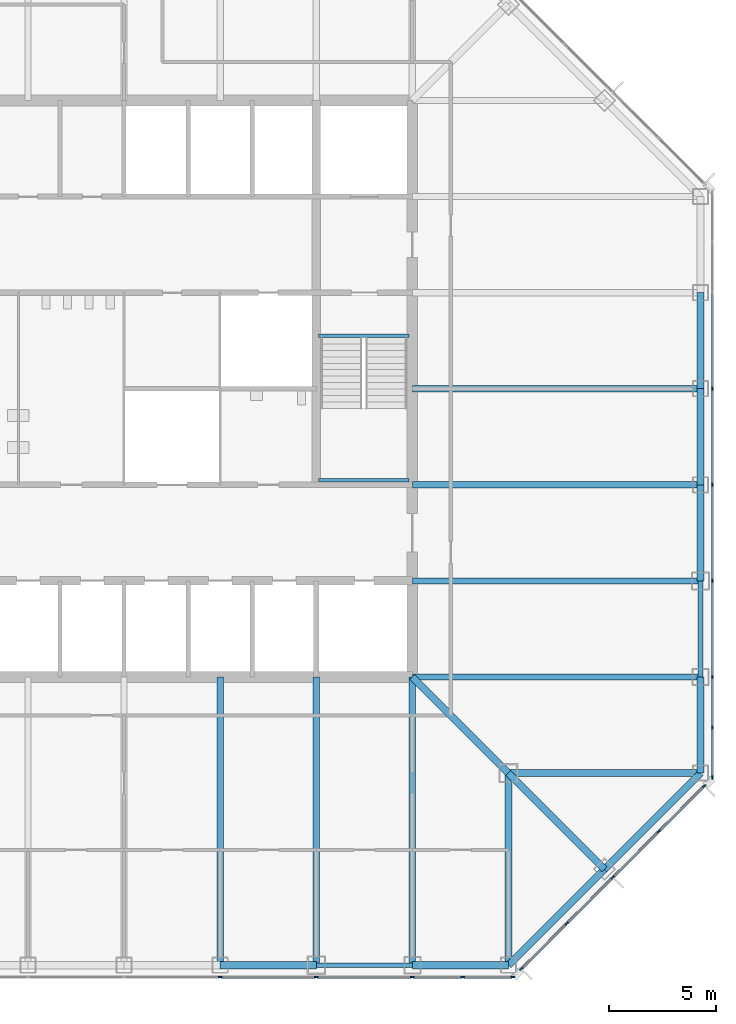
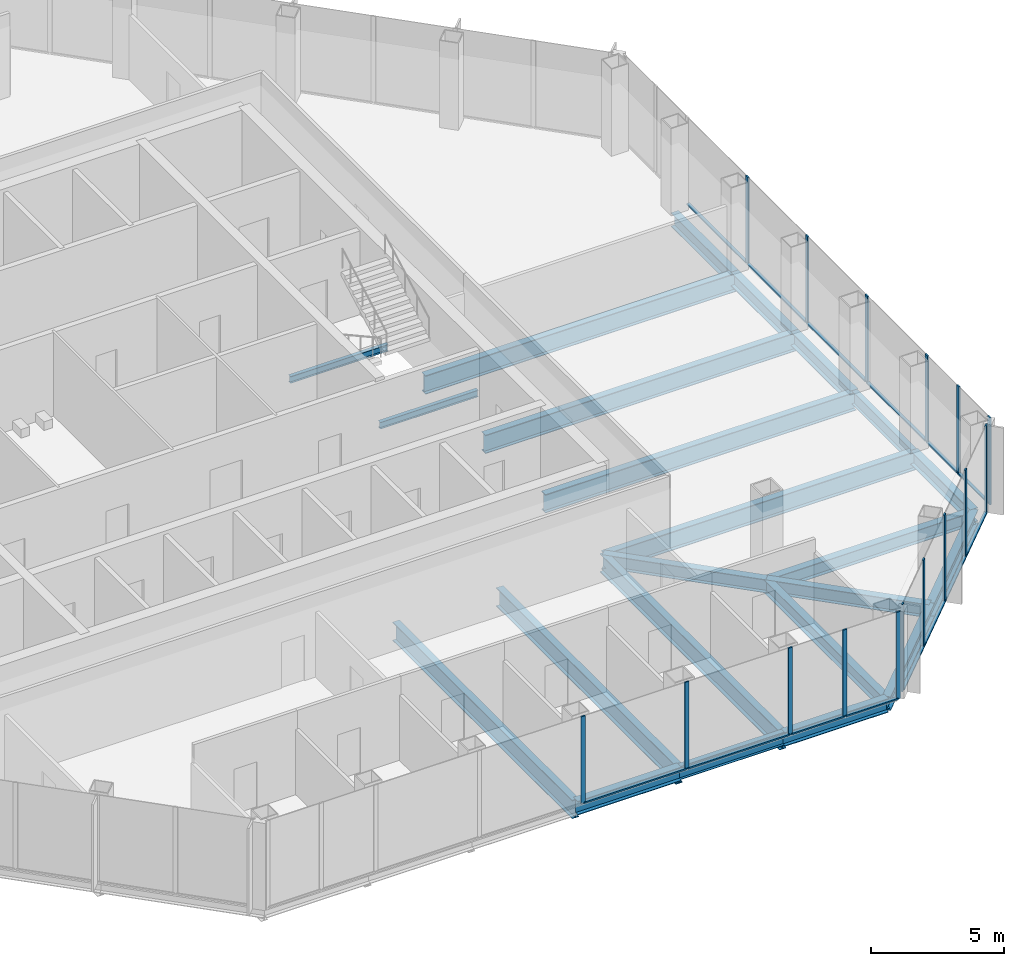
# One storey, part 4 of 12: 30 members, 23 beams, 3 elements without a shape of their own.
"""IFC4 building model written with IfcOpenShell, lengths in metres."""

from ifc_helpers import new_model, si_unit, direction, frame, origin, origin_2d, place, context, subcontext, project, spatial, rectangle, i_section, extrude, material, material_profile, profile_set, type_object, element, aggregate, save


model = new_model("IFC4")

# Units and contexts
model_context = context("Model", 3, precision=1e-05, world=origin(), true_north=direction((0.0, 1.0)))
body_context = subcontext(model_context, "Body", "Model", "MODEL_VIEW")
ifc_project = project(units=[si_unit("LENGTHUNIT", "METRE"), si_unit("AREAUNIT", "SQUARE_METRE"), si_unit("VOLUMEUNIT", "CUBIC_METRE"), si_unit("PLANEANGLEUNIT", "RADIAN"), si_unit("MASSUNIT", "GRAM", prefix="KILO")], contexts=[model_context])

# Site, building, storey
site_placement = place(None, origin())
site = spatial("IfcSite", under=ifc_project, at=site_placement, CompositionType="ELEMENT")
building_placement = place(site_placement, origin())
building = spatial("IfcBuilding", under=site, at=building_placement, Name="Corais Broadcast Tower", CompositionType="ELEMENT")
storey_placement = place(building_placement, frame((0.0, 0.0, 143.60009765625)))
storey = spatial("IfcBuildingStorey", under=building, at=storey_placement, Name="L32", CompositionType="ELEMENT", Elevation=143.60009765625)

# Beams
ifc_material_1 = material(Name="Steel ASTM A572 Grade 50", Category="steel")
ifc_material_profile_1 = material_profile(ifc_material_1, i_section(OverallWidth=0.323974609375, OverallDepth=0.611083984375, WebThickness=0.0126953125, FlangeThickness=0.01904296875, at=origin_2d()), Name="W610x155")
ifc_profile_set_1 = profile_set([ifc_material_profile_1], Name="Steel ASTM A572 Grade 50")
beam_type_1 = type_object("IfcBeamType", Name="Chamfer tie W610x155", PredefinedType="BEAM", material=ifc_profile_set_1)
beam_1_placement = place(storey_placement, frame((49.5, 4.5, -0.465576171875), z_axis=(-0.707106781187, 0.707106781187, 0.0), x_axis=(-0.707106781187, -0.707106781187, 0.0)))
element("IfcBeam", 1, at=beam_1_placement, inside=storey, type_object=beam_type_1, Name="B5 B/14 to C/13", PredefinedType="BEAM", context=body_context, shape_type="SweptSolid", body=[
    extrude(i_section(OverallWidth=0.323974609375, OverallDepth=0.611083984375, WebThickness=0.0126953125, FlangeThickness=0.01904296875, at=origin_2d()), origin(), (0.0, 0.0, 1.0), 6.364013671875),
])
ifc_material_2 = material(Name="Steel ASTM A572 Grade 50", Category="steel")
ifc_material_profile_2 = material_profile(ifc_material_2, i_section(OverallWidth=0.323974609375, OverallDepth=0.611083984375, WebThickness=0.0126953125, FlangeThickness=0.01904296875, at=origin_2d()), Name="W610x155")
ifc_profile_set_2 = profile_set([ifc_material_profile_2], Name="Steel ASTM A572 Grade 50")
beam_type_2 = type_object("IfcBeamType", Name="Corner diagonal W610x155", PredefinedType="BEAM", material=ifc_profile_set_2)
beam_2_placement = place(storey_placement, frame((45.0, 9.0, -0.465576171875), z_axis=(-0.707106781187, 0.707106781187, 0.0), x_axis=(-0.707106781187, -0.707106781187, 0.0)))
element("IfcBeam", 2, at=beam_2_placement, inside=storey, type_object=beam_type_2, Name="B6 C/13 to D/12", PredefinedType="BEAM", context=body_context, shape_type="SweptSolid", body=[
    extrude(i_section(OverallWidth=0.323974609375, OverallDepth=0.611083984375, WebThickness=0.0126953125, FlangeThickness=0.01904296875, at=origin_2d()), origin(), (0.0, 0.0, 1.0), 6.364013671875),
])
ifc_material_3 = material(Name="Steel ASTM A572 Grade 50", Category="steel")
ifc_material_profile_3 = material_profile(ifc_material_3, i_section(OverallWidth=0.323974609375, OverallDepth=0.611083984375, WebThickness=0.0126953125, FlangeThickness=0.01904296875, at=origin_2d()), Name="W610x155")
ifc_profile_set_3 = profile_set([ifc_material_profile_3], Name="Steel ASTM A572 Grade 50")
beam_type_3 = type_object("IfcBeamType", Name="Corner girder W610x155", PredefinedType="BEAM", material=ifc_profile_set_3)
for number, where, z_axis, x_axis, name in (
    (3, (45.0, 0.0, -0.465576171875), (0.0, 1.0, 0.0), (-1.0, 0.0, 0.0), "B4 A/13 to C/13"),
    (4, (54.0, 9.0, -0.465576171875), (-1.0, 0.0, 0.0), (0.0, -1.0, 0.0), "B4 C/15 to C/13"),
):
    element("IfcBeam", number, at=place(storey_placement, frame(where, z_axis=z_axis, x_axis=x_axis)), inside=storey, type_object=beam_type_3, Name=name, PredefinedType="BEAM", context=body_context, shape_type="SweptSolid", body=[
        extrude(i_section(OverallWidth=0.323974609375, OverallDepth=0.611083984375, WebThickness=0.0126953125, FlangeThickness=0.01904296875, at=origin_2d()), origin(), (0.0, 0.0, 1.0), 9.0),
    ])
ifc_material_4 = material(Name="Steel ASTM A572 Grade 50", Category="steel")
ifc_material_profile_4 = material_profile(ifc_material_4, i_section(OverallWidth=0.2939453125, OverallDepth=0.85107421875, WebThickness=0.01611328125, FlangeThickness=0.02685546875, at=origin_2d()), Name="W840x226")
ifc_profile_set_4 = profile_set([ifc_material_profile_4], Name="Steel ASTM A572 Grade 50")
beam_type_4 = type_object("IfcBeamType", Name="Floor beam W840x226", PredefinedType="BEAM", material=ifc_profile_set_4)
for number, where, z_axis, x_axis, name in (
    (5, (31.5, 0.0, -0.585693359375), (0.0, 1.0, 0.0), (-1.0, 0.0, 0.0), "B1 A/10 to D/10"),
    (6, (36.0, 0.0, -0.585693359375), (0.0, 1.0, 0.0), (-1.0, 0.0, 0.0), "B1 A/11 to D/11"),
    (7, (40.5, 0.0, -0.585693359375), (0.0, 1.0, 0.0), (-1.0, 0.0, 0.0), "B1 A/12 to D/12"),
    (8, (54.0, 13.5, -0.585693359375), (-1.0, 0.0, 0.0), (0.0, -1.0, 0.0), "B1 D/15 to D/12"),
    (9, (54.0, 18.0, -0.585693359375), (-1.0, 0.0, 0.0), (0.0, -1.0, 0.0), "B1 E/15 to E/12"),
    (10, (54.0, 22.5, -0.585693359375), (-1.0, 0.0, 0.0), (0.0, -1.0, 0.0), "B1 F/15 to F/12"),
    (11, (54.0, 27.0, -0.585693359375), (-1.0, 0.0, 0.0), (0.0, -1.0, 0.0), "B1 G/15 to G/12"),
):
    element("IfcBeam", number, at=place(storey_placement, frame(where, z_axis=z_axis, x_axis=x_axis)), inside=storey, type_object=beam_type_4, Name=name, PredefinedType="BEAM", context=body_context, shape_type="SweptSolid", body=[
        extrude(i_section(OverallWidth=0.2939453125, OverallDepth=0.85107421875, WebThickness=0.01611328125, FlangeThickness=0.02685546875, at=origin_2d()), origin(), (0.0, 0.0, 1.0), 13.5),
    ])
ifc_material_5 = material(Name="Steel ASTM A572 Grade 50", Category="steel")
ifc_material_profile_5 = material_profile(ifc_material_5, i_section(OverallWidth=0.1650390625, OverallDepth=0.31005859375, WebThickness=0.005859375, FlangeThickness=0.009765625, at=origin_2d()), Name="W310x38.7")
ifc_profile_set_5 = profile_set([ifc_material_profile_5], Name="Steel ASTM A572 Grade 50")
beam_type_5 = type_object("IfcBeamType", Name="Landing trimmer W310x38.7", PredefinedType="BEAM", material=ifc_profile_set_5)
for number, where, z_axis, x_axis, name in (
    (12, (36.10009765625, 29.47509765625, -0.35498046875), (1.0, 0.0, 0.0), (0.0, 1.0, 0.0), "LT1 stair B landing trimmer L32"),
    (13, (36.10009765625, 22.715087890625, 1.64501953125), (1.0, 0.0, 0.0), (0.0, 1.0, 0.0), "LT1 stair B half landing trimmer L32"),
):
    element("IfcBeam", number, at=place(storey_placement, frame(where, z_axis=z_axis, x_axis=x_axis)), inside=storey, type_object=beam_type_5, Name=name, PredefinedType="BEAM", context=body_context, shape_type="SweptSolid", body=[
        extrude(i_section(OverallWidth=0.1650390625, OverallDepth=0.31005859375, WebThickness=0.005859375, FlangeThickness=0.009765625, at=origin_2d()), origin(), (0.0, 0.0, 1.0), 4.25),
    ])

# Curtain wall, members
ifc_material_6 = material(Name="Aluminium and glass", Category="aluminium")
curtain_wall_type = type_object("IfcCurtainWallType", Name="Unitised fritted curtain wall CW2", PredefinedType="NOTDEFINED", material=ifc_material_6)
curtain_wall_1_placement = place(storey_placement, origin())
curtain_wall_1 = element("IfcCurtainWall", 14, at=curtain_wall_1_placement, inside=storey, type_object=curtain_wall_type, Name="CW2 curtain wall L32 6", PredefinedType="NOTDEFINED")
ifc_material_7 = material(Name="Aluminium 6063-T6", Category="aluminium")
ifc_material_profile_6 = material_profile(ifc_material_7, rectangle(XDim=0.06494140625, YDim=0.179931640625, at=origin_2d()), Name="Mullion CW2 65x180")
ifc_profile_set_6 = profile_set([ifc_material_profile_6], Name="Aluminium 6063-T6")
member_type_1 = type_object("IfcMemberType", Name="Mullion CW2 65x180", PredefinedType="MULLION", material=ifc_profile_set_6)
member_1_placement = place(storey_placement, frame((54.550048828125, 27.0, 0.0), z_axis=(0.0, 0.0, 1.0), x_axis=(1.0, 0.0, 0.0)))
member_1 = element("IfcMember", 15, at=member_1_placement, type_object=member_type_1, Name="CW2 mullion 4", PredefinedType="MULLION", context=body_context, shape_type="SweptSolid", body=[
    extrude(rectangle(XDim=0.06494140625, YDim=0.179931640625, at=origin_2d()), origin(), (0.0, 0.0, 1.0), 4.0),
])
member_2_placement = place(storey_placement, frame((54.550048828125, 22.5, 0.0), z_axis=(0.0, 0.0, 1.0), x_axis=(1.0, 0.0, 0.0)))
member_2 = element("IfcMember", 16, at=member_2_placement, type_object=member_type_1, Name="CW2 mullion 5", PredefinedType="MULLION", context=body_context, shape_type="SweptSolid", body=[
    extrude(rectangle(XDim=0.06494140625, YDim=0.179931640625, at=origin_2d()), origin(), (0.0, 0.0, 1.0), 4.0),
])
member_3_placement = place(storey_placement, frame((54.550048828125, 18.0, 0.0), z_axis=(0.0, 0.0, 1.0), x_axis=(1.0, 0.0, 0.0)))
member_3 = element("IfcMember", 17, at=member_3_placement, type_object=member_type_1, Name="CW2 mullion 6", PredefinedType="MULLION", context=body_context, shape_type="SweptSolid", body=[
    extrude(rectangle(XDim=0.06494140625, YDim=0.179931640625, at=origin_2d()), origin(), (0.0, 0.0, 1.0), 4.0),
])
member_4_placement = place(storey_placement, frame((54.550048828125, 13.5, 0.0), z_axis=(0.0, 0.0, 1.0), x_axis=(1.0, 0.0, 0.0)))
member_4 = element("IfcMember", 18, at=member_4_placement, type_object=member_type_1, Name="CW2 mullion 7", PredefinedType="MULLION", context=body_context, shape_type="SweptSolid", body=[
    extrude(rectangle(XDim=0.06494140625, YDim=0.179931640625, at=origin_2d()), origin(), (0.0, 0.0, 1.0), 4.0),
])
member_5_placement = place(storey_placement, frame((54.550048828125, 11.135986328125, 0.0), z_axis=(0.0, 0.0, 1.0), x_axis=(1.0, 0.0, 0.0)))
member_5 = element("IfcMember", 19, at=member_5_placement, type_object=member_type_1, Name="CW2 mullion 8", PredefinedType="MULLION", context=body_context, shape_type="SweptSolid", body=[
    extrude(rectangle(XDim=0.06494140625, YDim=0.179931640625, at=origin_2d()), origin(), (0.0, 0.0, 1.0), 4.0),
])
member_6_placement = place(storey_placement, frame((54.550048828125, 8.8046875, 0.0), z_axis=(0.0, 0.0, 1.0), x_axis=(1.0, 0.0, 0.0)))
member_6 = element("IfcMember", 20, at=member_6_placement, type_object=member_type_1, Name="CW2 mullion 9", PredefinedType="MULLION", context=body_context, shape_type="SweptSolid", body=[
    extrude(rectangle(XDim=0.06494140625, YDim=0.179931640625, at=origin_2d()), origin(), (0.0, 0.0, 1.0), 4.0),
])

curtain_wall_2_placement = place(storey_placement, origin())
curtain_wall_2 = element("IfcCurtainWall", 21, at=curtain_wall_2_placement, inside=storey, type_object=curtain_wall_type, Name="CW2 curtain wall L32 7", PredefinedType="NOTDEFINED")
member_7_placement = place(storey_placement, frame((54.17333984375, 8.3955078125, 0.0), z_axis=(0.0, 0.0, 1.0), x_axis=(0.707106781187, -0.707106781187, 0.0)))
member_7 = element("IfcMember", 22, at=member_7_placement, type_object=member_type_1, Name="CW2 mullion 1", PredefinedType="MULLION", context=body_context, shape_type="SweptSolid", body=[
    extrude(rectangle(XDim=0.06494140625, YDim=0.179931640625, at=origin_2d()), origin(), (0.0, 0.0, 1.0), 4.0),
])
member_8_placement = place(storey_placement, frame((52.042724609375, 6.264892578125, 0.0), z_axis=(0.0, 0.0, 1.0), x_axis=(0.707106781187, -0.707106781187, 0.0)))
member_8 = element("IfcMember", 23, at=member_8_placement, type_object=member_type_1, Name="CW2 mullion 2", PredefinedType="MULLION", context=body_context, shape_type="SweptSolid", body=[
    extrude(rectangle(XDim=0.06494140625, YDim=0.179931640625, at=origin_2d()), origin(), (0.0, 0.0, 1.0), 4.0),
])
member_9_placement = place(storey_placement, frame((49.888916015625, 4.111083984375, 0.0), z_axis=(0.0, 0.0, 1.0), x_axis=(0.707106781187, -0.707106781187, 0.0)))
member_9 = element("IfcMember", 24, at=member_9_placement, type_object=member_type_1, Name="CW2 mullion 3", PredefinedType="MULLION", context=body_context, shape_type="SweptSolid", body=[
    extrude(rectangle(XDim=0.06494140625, YDim=0.179931640625, at=origin_2d()), origin(), (0.0, 0.0, 1.0), 4.0),
])
member_10_placement = place(storey_placement, frame((47.735107421875, 1.957275390625, 0.0), z_axis=(0.0, 0.0, 1.0), x_axis=(0.707106781187, -0.707106781187, 0.0)))
member_10 = element("IfcMember", 25, at=member_10_placement, type_object=member_type_1, Name="CW2 mullion 4", PredefinedType="MULLION", context=body_context, shape_type="SweptSolid", body=[
    extrude(rectangle(XDim=0.06494140625, YDim=0.179931640625, at=origin_2d()), origin(), (0.0, 0.0, 1.0), 4.0),
])
member_11_placement = place(storey_placement, frame((45.6044921875, -0.17333984375, 0.0), z_axis=(0.0, 0.0, 1.0), x_axis=(0.707106781187, -0.707106781187, 0.0)))
member_11 = element("IfcMember", 26, at=member_11_placement, type_object=member_type_1, Name="CW2 mullion 5", PredefinedType="MULLION", context=body_context, shape_type="SweptSolid", body=[
    extrude(rectangle(XDim=0.06494140625, YDim=0.179931640625, at=origin_2d()), origin(), (0.0, 0.0, 1.0), 4.0),
])

curtain_wall_3_placement = place(storey_placement, origin())
curtain_wall_3 = element("IfcCurtainWall", 27, at=curtain_wall_3_placement, inside=storey, type_object=curtain_wall_type, Name="CW2 curtain wall L32 8", PredefinedType="NOTDEFINED")
member_12_placement = place(storey_placement, frame((45.1953125, -0.550048828125, 0.0), z_axis=(0.0, 0.0, 1.0), x_axis=(0.0, -1.0, 0.0)))
member_12 = element("IfcMember", 28, at=member_12_placement, type_object=member_type_1, Name="CW2 mullion 1", PredefinedType="MULLION", context=body_context, shape_type="SweptSolid", body=[
    extrude(rectangle(XDim=0.06494140625, YDim=0.179931640625, at=origin_2d()), origin(), (0.0, 0.0, 1.0), 4.0),
])
member_13_placement = place(storey_placement, frame((42.864013671875, -0.550048828125, 0.0), z_axis=(0.0, 0.0, 1.0), x_axis=(0.0, -1.0, 0.0)))
member_13 = element("IfcMember", 29, at=member_13_placement, type_object=member_type_1, Name="CW2 mullion 2", PredefinedType="MULLION", context=body_context, shape_type="SweptSolid", body=[
    extrude(rectangle(XDim=0.06494140625, YDim=0.179931640625, at=origin_2d()), origin(), (0.0, 0.0, 1.0), 4.0),
])
member_14_placement = place(storey_placement, frame((40.5, -0.550048828125, 0.0), z_axis=(0.0, 0.0, 1.0), x_axis=(0.0, -1.0, 0.0)))
member_14 = element("IfcMember", 30, at=member_14_placement, type_object=member_type_1, Name="CW2 mullion 3", PredefinedType="MULLION", context=body_context, shape_type="SweptSolid", body=[
    extrude(rectangle(XDim=0.06494140625, YDim=0.179931640625, at=origin_2d()), origin(), (0.0, 0.0, 1.0), 4.0),
])
member_15_placement = place(storey_placement, frame((36.0, -0.550048828125, 0.0), z_axis=(0.0, 0.0, 1.0), x_axis=(0.0, -1.0, 0.0)))
member_15 = element("IfcMember", 31, at=member_15_placement, type_object=member_type_1, Name="CW2 mullion 4", PredefinedType="MULLION", context=body_context, shape_type="SweptSolid", body=[
    extrude(rectangle(XDim=0.06494140625, YDim=0.179931640625, at=origin_2d()), origin(), (0.0, 0.0, 1.0), 4.0),
])
member_16_placement = place(storey_placement, frame((31.5, -0.550048828125, 0.0), z_axis=(0.0, 0.0, 1.0), x_axis=(0.0, -1.0, 0.0)))
member_16 = element("IfcMember", 32, at=member_16_placement, type_object=member_type_1, Name="CW2 mullion 5", PredefinedType="MULLION", context=body_context, shape_type="SweptSolid", body=[
    extrude(rectangle(XDim=0.06494140625, YDim=0.179931640625, at=origin_2d()), origin(), (0.0, 0.0, 1.0), 4.0),
])

# Beams
ifc_material_8 = material(Name="Steel ASTM A572 Grade 50", Category="steel")
ifc_material_profile_7 = material_profile(ifc_material_8, i_section(OverallWidth=0.22900390625, OverallDepth=0.612060546875, WebThickness=0.011962890625, FlangeThickness=0.01953125, at=origin_2d()), Name="W610x125")
ifc_profile_set_7 = profile_set([ifc_material_profile_7], Name="Steel ASTM A572 Grade 50")
beam_type_6 = type_object("IfcBeamType", Name="Pinned spandrel W610x125", PredefinedType="BEAM", material=ifc_profile_set_7)
for number, where, z_axis, x_axis, name in (
    (33, (36.0, 0.0, -0.466064453125), (1.0, 0.0, 0.0), (0.0, 1.0, 0.0), "SB7 A/11 to A/12"),
    (34, (54.0, 13.5, -0.466064453125), (0.0, 1.0, 0.0), (-1.0, 0.0, 0.0), "SB7 D/15 to E/15"),
):
    element("IfcBeam", number, at=place(storey_placement, frame(where, z_axis=z_axis, x_axis=x_axis)), inside=storey, type_object=beam_type_6, Name=name, PredefinedType="BEAM", context=body_context, shape_type="SweptSolid", body=[
        extrude(i_section(OverallWidth=0.22900390625, OverallDepth=0.612060546875, WebThickness=0.011962890625, FlangeThickness=0.01953125, at=origin_2d()), origin(), (0.0, 0.0, 1.0), 4.5),
    ])
ifc_material_9 = material(Name="Steel ASTM A572 Grade 50", Category="steel")
ifc_material_profile_8 = material_profile(ifc_material_9, i_section(OverallWidth=0.3291015625, OverallDepth=0.635009765625, WebThickness=0.017822265625, FlangeThickness=0.031005859375, at=origin_2d()), Name="W610x241")
ifc_profile_set_8 = profile_set([ifc_material_profile_8], Name="Steel ASTM A572 Grade 50")
beam_type_7 = type_object("IfcBeamType", Name="Spandrel W610x241", PredefinedType="BEAM", material=ifc_profile_set_8)
for number, where, z_axis, x_axis, name in (
    (35, (31.5, 0.0, -0.4775390625), (1.0, 0.0, 0.0), (0.0, 1.0, 0.0), "SB1 A/10 to A/11"),
    (36, (40.5, 0.0, -0.4775390625), (1.0, 0.0, 0.0), (0.0, 1.0, 0.0), "SB1 A/12 to A/13"),
):
    element("IfcBeam", number, at=place(storey_placement, frame(where, z_axis=z_axis, x_axis=x_axis)), inside=storey, type_object=beam_type_7, Name=name, PredefinedType="BEAM", context=body_context, shape_type="SweptSolid", body=[
        extrude(i_section(OverallWidth=0.3291015625, OverallDepth=0.635009765625, WebThickness=0.017822265625, FlangeThickness=0.031005859375, at=origin_2d()), origin(), (0.0, 0.0, 1.0), 4.5),
    ])
for number, where, z_axis, x_axis, name in (
    (37, (45.0, 0.0, -0.4775390625), (0.707106781187, 0.707106781187, 0.0), (-0.707106781187, 0.707106781187, 0.0), "SB1 A/13 to B/14"),
    (38, (49.5, 4.5, -0.4775390625), (0.707106781187, 0.707106781187, 0.0), (-0.707106781187, 0.707106781187, 0.0), "SB1 B/14 to C/15"),
):
    element("IfcBeam", number, at=place(storey_placement, frame(where, z_axis=z_axis, x_axis=x_axis)), inside=storey, type_object=beam_type_7, Name=name, PredefinedType="BEAM", context=body_context, shape_type="SweptSolid", body=[
        extrude(i_section(OverallWidth=0.3291015625, OverallDepth=0.635009765625, WebThickness=0.017822265625, FlangeThickness=0.031005859375, at=origin_2d()), origin(), (0.0, 0.0, 1.0), 6.364013671875),
    ])
for number, where, z_axis, x_axis, name in (
    (39, (54.0, 18.0, -0.4775390625), (0.0, 1.0, 0.0), (-1.0, 0.0, 0.0), "SB1 E/15 to F/15"),
    (40, (54.0, 22.5, -0.4775390625), (0.0, 1.0, 0.0), (-1.0, 0.0, 0.0), "SB1 F/15 to G/15"),
    (41, (54.0, 27.0, -0.4775390625), (0.0, 1.0, 0.0), (-1.0, 0.0, 0.0), "SB1 G/15 to H/15"),
    (42, (54.0, 9.0, -0.4775390625), (0.0, 1.0, 0.0), (-1.0, 0.0, 0.0), "SB1 C/15 to D/15"),
):
    element("IfcBeam", number, at=place(storey_placement, frame(where, z_axis=z_axis, x_axis=x_axis)), inside=storey, type_object=beam_type_7, Name=name, PredefinedType="BEAM", context=body_context, shape_type="SweptSolid", body=[
        extrude(i_section(OverallWidth=0.3291015625, OverallDepth=0.635009765625, WebThickness=0.017822265625, FlangeThickness=0.031005859375, at=origin_2d()), origin(), (0.0, 0.0, 1.0), 4.5),
    ])

# Member
ifc_material_10 = material(Name="Aluminium 6063-T6", Category="aluminium")
ifc_material_profile_9 = material_profile(ifc_material_10, rectangle(XDim=0.1298828125, YDim=0.06494140625, at=origin_2d()), Name="Transom CW2 65x130")
ifc_profile_set_9 = profile_set([ifc_material_profile_9], Name="Aluminium 6063-T6")
member_type_2 = type_object("IfcMemberType", Name="Transom CW2 65x130", PredefinedType="USERDEFINED", material=ifc_profile_set_9)
member_17_placement = place(storey_placement, frame((54.550048828125, 31.467529296875, 0.032470703125), z_axis=(0.0, -1.0, 0.0), x_axis=(1.0, 0.0, 0.0)))
member_17 = element("IfcMember", 43, at=member_17_placement, type_object=member_type_2, Name="CW2 transom 3.1", ObjectType="TRANSOM", PredefinedType="USERDEFINED", context=body_context, shape_type="SweptSolid", body=[
    extrude(rectangle(XDim=0.1298828125, YDim=0.06494140625, at=origin_2d()), origin(), (0.0, 0.0, 1.0), 4.43505859375),
])

member_18_placement = place(storey_placement, frame((54.550048828125, 26.967529296875, 0.032470703125), z_axis=(0.0, -1.0, 0.0), x_axis=(1.0, 0.0, 0.0)))
member_18 = element("IfcMember", 44, at=member_18_placement, type_object=member_type_2, Name="CW2 transom 4.1", ObjectType="TRANSOM", PredefinedType="USERDEFINED", context=body_context, shape_type="SweptSolid", body=[
    extrude(rectangle(XDim=0.1298828125, YDim=0.06494140625, at=origin_2d()), origin(), (0.0, 0.0, 1.0), 4.43505859375),
])

member_19_placement = place(storey_placement, frame((54.550048828125, 22.467529296875, 0.032470703125), z_axis=(0.0, -1.0, 0.0), x_axis=(1.0, 0.0, 0.0)))
member_19 = element("IfcMember", 45, at=member_19_placement, type_object=member_type_2, Name="CW2 transom 5.1", ObjectType="TRANSOM", PredefinedType="USERDEFINED", context=body_context, shape_type="SweptSolid", body=[
    extrude(rectangle(XDim=0.1298828125, YDim=0.06494140625, at=origin_2d()), origin(), (0.0, 0.0, 1.0), 4.43505859375),
])

member_20_placement = place(storey_placement, frame((54.550048828125, 17.967529296875, 0.032470703125), z_axis=(0.0, -1.0, 0.0), x_axis=(1.0, 0.0, 0.0)))
member_20 = element("IfcMember", 46, at=member_20_placement, type_object=member_type_2, Name="CW2 transom 6.1", ObjectType="TRANSOM", PredefinedType="USERDEFINED", context=body_context, shape_type="SweptSolid", body=[
    extrude(rectangle(XDim=0.1298828125, YDim=0.06494140625, at=origin_2d()), origin(), (0.0, 0.0, 1.0), 4.43505859375),
])

member_21_placement = place(storey_placement, frame((54.550048828125, 13.467529296875, 0.032470703125), z_axis=(0.0, -1.0, 0.0), x_axis=(1.0, 0.0, 0.0)))
member_21 = element("IfcMember", 47, at=member_21_placement, type_object=member_type_2, Name="CW2 transom 7.1", ObjectType="TRANSOM", PredefinedType="USERDEFINED", context=body_context, shape_type="SweptSolid", body=[
    extrude(rectangle(XDim=0.1298828125, YDim=0.06494140625, at=origin_2d()), origin(), (0.0, 0.0, 1.0), 2.298828125),
])

member_22_placement = place(storey_placement, frame((54.550048828125, 11.103515625, 0.032470703125), z_axis=(0.0, -1.0, 0.0), x_axis=(1.0, 0.0, 0.0)))
member_22 = element("IfcMember", 48, at=member_22_placement, type_object=member_type_2, Name="CW2 transom 8.1", ObjectType="TRANSOM", PredefinedType="USERDEFINED", context=body_context, shape_type="SweptSolid", body=[
    extrude(rectangle(XDim=0.1298828125, YDim=0.06494140625, at=origin_2d()), origin(), (0.0, 0.0, 1.0), 2.266357421875),
])

aggregate(curtain_wall_1, [member_1, member_2, member_3, member_4, member_5, member_6, member_17, member_18, member_19, member_20, member_21, member_22])

member_23_placement = place(storey_placement, frame((54.150390625, 8.37255859375, 0.032470703125), z_axis=(-0.707106781187, -0.707106781187, 0.0), x_axis=(0.707106781187, -0.707106781187, 0.0)))
member_23 = element("IfcMember", 49, at=member_23_placement, type_object=member_type_2, Name="CW2 transom 1.1", ObjectType="TRANSOM", PredefinedType="USERDEFINED", context=body_context, shape_type="SweptSolid", body=[
    extrude(rectangle(XDim=0.1298828125, YDim=0.06494140625, at=origin_2d()), origin(), (0.0, 0.0, 1.0), 2.9482421875),
])

member_24_placement = place(storey_placement, frame((52.019775390625, 6.241943359375, 0.032470703125), z_axis=(-0.707106781187, -0.707106781187, 0.0), x_axis=(0.707106781187, -0.707106781187, 0.0)))
member_24 = element("IfcMember", 50, at=member_24_placement, type_object=member_type_2, Name="CW2 transom 2.1", ObjectType="TRANSOM", PredefinedType="USERDEFINED", context=body_context, shape_type="SweptSolid", body=[
    extrude(rectangle(XDim=0.1298828125, YDim=0.06494140625, at=origin_2d()), origin(), (0.0, 0.0, 1.0), 2.98095703125),
])

member_25_placement = place(storey_placement, frame((49.865966796875, 4.088134765625, 0.032470703125), z_axis=(-0.707106781187, -0.707106781187, 0.0), x_axis=(0.707106781187, -0.707106781187, 0.0)))
member_25 = element("IfcMember", 51, at=member_25_placement, type_object=member_type_2, Name="CW2 transom 3.1", ObjectType="TRANSOM", PredefinedType="USERDEFINED", context=body_context, shape_type="SweptSolid", body=[
    extrude(rectangle(XDim=0.1298828125, YDim=0.06494140625, at=origin_2d()), origin(), (0.0, 0.0, 1.0), 2.98095703125),
])

member_26_placement = place(storey_placement, frame((47.712158203125, 1.934326171875, 0.032470703125), z_axis=(-0.707106781187, -0.707106781187, 0.0), x_axis=(0.707106781187, -0.707106781187, 0.0)))
member_26 = element("IfcMember", 52, at=member_26_placement, type_object=member_type_2, Name="CW2 transom 4.1", ObjectType="TRANSOM", PredefinedType="USERDEFINED", context=body_context, shape_type="SweptSolid", body=[
    extrude(rectangle(XDim=0.1298828125, YDim=0.06494140625, at=origin_2d()), origin(), (0.0, 0.0, 1.0), 2.9482421875),
])

aggregate(curtain_wall_2, [member_7, member_8, member_9, member_10, member_11, member_23, member_24, member_25, member_26])

member_27_placement = place(storey_placement, frame((45.162841796875, -0.550048828125, 0.032470703125), z_axis=(-1.0, 0.0, 0.0), x_axis=(0.0, -1.0, 0.0)))
member_27 = element("IfcMember", 53, at=member_27_placement, type_object=member_type_2, Name="CW2 transom 1.1", ObjectType="TRANSOM", PredefinedType="USERDEFINED", context=body_context, shape_type="SweptSolid", body=[
    extrude(rectangle(XDim=0.1298828125, YDim=0.06494140625, at=origin_2d()), origin(), (0.0, 0.0, 1.0), 2.266357421875),
])

member_28_placement = place(storey_placement, frame((42.831298828125, -0.550048828125, 0.032470703125), z_axis=(-1.0, 0.0, 0.0), x_axis=(0.0, -1.0, 0.0)))
member_28 = element("IfcMember", 54, at=member_28_placement, type_object=member_type_2, Name="CW2 transom 2.1", ObjectType="TRANSOM", PredefinedType="USERDEFINED", context=body_context, shape_type="SweptSolid", body=[
    extrude(rectangle(XDim=0.1298828125, YDim=0.06494140625, at=origin_2d()), origin(), (0.0, 0.0, 1.0), 2.298828125),
])

member_29_placement = place(storey_placement, frame((40.467529296875, -0.550048828125, 0.032470703125), z_axis=(-1.0, 0.0, 0.0), x_axis=(0.0, -1.0, 0.0)))
member_29 = element("IfcMember", 55, at=member_29_placement, type_object=member_type_2, Name="CW2 transom 3.1", ObjectType="TRANSOM", PredefinedType="USERDEFINED", context=body_context, shape_type="SweptSolid", body=[
    extrude(rectangle(XDim=0.1298828125, YDim=0.06494140625, at=origin_2d()), origin(), (0.0, 0.0, 1.0), 4.43505859375),
])

member_30_placement = place(storey_placement, frame((35.967529296875, -0.550048828125, 0.032470703125), z_axis=(-1.0, 0.0, 0.0), x_axis=(0.0, -1.0, 0.0)))
member_30 = element("IfcMember", 56, at=member_30_placement, type_object=member_type_2, Name="CW2 transom 4.1", ObjectType="TRANSOM", PredefinedType="USERDEFINED", context=body_context, shape_type="SweptSolid", body=[
    extrude(rectangle(XDim=0.1298828125, YDim=0.06494140625, at=origin_2d()), origin(), (0.0, 0.0, 1.0), 4.43505859375),
])

aggregate(curtain_wall_3, [member_12, member_13, member_14, member_15, member_16, member_27, member_28, member_29, member_30])

save(model, "model.ifc")
